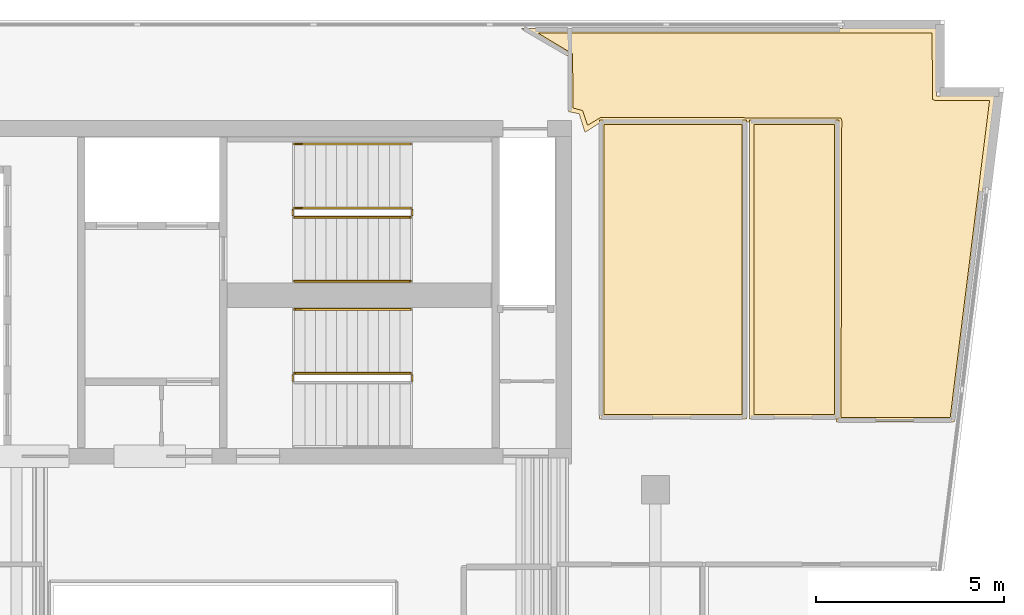
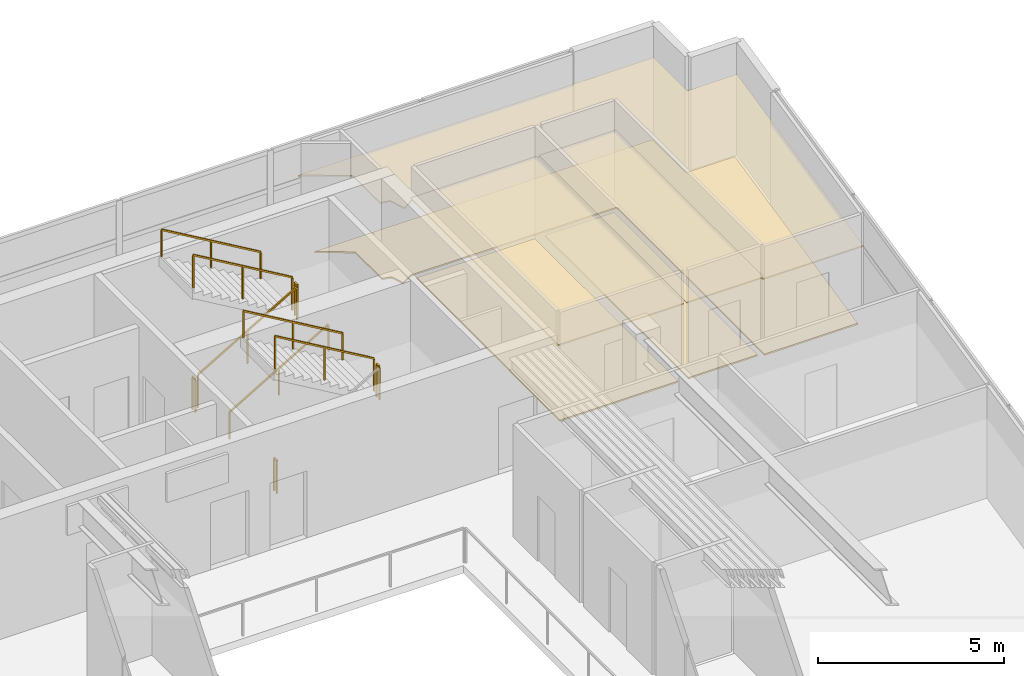
# One storey, part 8 of 8: 10 railings, 6 coverings.
"""IFC4 building model written with IfcOpenShell, lengths in metres."""

import ifcopenshell
import ifcopenshell.guid

model = None  # the IFC model being written
_history = None  # IfcOwnerHistory: only IFC2X3 demands one
_inside = {}  # id of a spatial element -> (the spatial element, [elements in it])
_under = {}  # id of a project, library or spatial element -> (it, [spatial elements below it])
_declared = {}  # id of a project -> (the project, [libraries it declares])
_typed = {}  # id of a type object -> (the type object, [elements of that type])
_made_of = {}  # id of a material, layer set ... -> (it, [elements and type objects made of it])


def new_model(schema):
    """Start an empty IFC model of exactly this schema.

    Asked for "IFC4X3", IfcOpenShell would pick the latest addendum, in which some entities
    have other attributes; the version numbers below select the first issue.
    IFC2X3 requires an IfcOwnerHistory on every rooted entity: one is made here for all.
    """
    global model, _history
    if schema == "IFC4X3":
        model = ifcopenshell.file(schema_version=(4, 3, 0, 0))
    else:
        model = ifcopenshell.file(schema=schema)
    _inside.clear()
    _under.clear()
    _declared.clear()
    _typed.clear()
    _made_of.clear()
    _history = None
    if model.schema == "IFC2X3":
        org = make("IfcOrganization", Name="unknown")
        user = make(
            "IfcPersonAndOrganization",
            ThePerson=make("IfcPerson", FamilyName="unknown"),
            TheOrganization=org,
        )
        app = make(
            "IfcApplication",
            ApplicationDeveloper=org,
            Version="unknown",
            ApplicationFullName="unknown",
            ApplicationIdentifier="unknown",
        )
        _history = make(
            "IfcOwnerHistory",
            OwningUser=user,
            OwningApplication=app,
            ChangeAction="ADDED",
            CreationDate=0,
        )
    return model


def make(cls, **values):
    """One entity of the class cls with the attributes given. An attribute that is None is left unset."""
    return model.create_entity(
        cls, **{name: value for name, value in values.items() if value is not None}
    )


def rooted(cls, **values):
    """An entity with a GlobalId (a new one), such as an element, a storey or a relation."""
    return make(cls, GlobalId=ifcopenshell.guid.new(), OwnerHistory=_history, **values)


def si_unit(unit_type, name, prefix=None):
    """IfcSIUnit, for example si_unit("LENGTHUNIT", "METRE", prefix="MILLI")."""
    return make("IfcSIUnit", UnitType=unit_type, Prefix=prefix, Name=name)


def assignment(units):
    """IfcUnitAssignment: the units of a project."""
    return None if units is None else make("IfcUnitAssignment", Units=units)


def point(xyz):
    """IfcCartesianPoint."""
    return None if xyz is None else make("IfcCartesianPoint", Coordinates=xyz)


def direction(xyz):
    """IfcDirection."""
    return None if xyz is None else make("IfcDirection", DirectionRatios=xyz)


def frame(location, z_axis=None, x_axis=None):
    """IfcAxis2Placement3D, a coordinate frame: its origin and axes. An axis left out is left unset."""
    return make(
        "IfcAxis2Placement3D",
        Location=point(location),
        Axis=direction(z_axis),
        RefDirection=direction(x_axis),
    )


def frame_2d(location, x_axis=None):
    """IfcAxis2Placement2D, a coordinate frame in the plane: its origin and x axis."""
    return make(
        "IfcAxis2Placement2D", Location=point(location), RefDirection=direction(x_axis)
    )


def origin():
    """The frame at (0, 0, 0) with its axes left unset."""
    return frame((0.0, 0.0, 0.0))


def origin_2d():
    """The frame at (0, 0) in the plane with its x axis left unset."""
    return frame_2d((0.0, 0.0))


def place(relative_to, where):
    """IfcLocalPlacement: puts the frame where relative to a parent placement (None: the world)."""
    return make(
        "IfcLocalPlacement", PlacementRelTo=relative_to, RelativePlacement=where
    )


def context(
    kind, dimensions, precision=None, world=None, true_north=None, identifier=None
):
    """IfcGeometricRepresentationContext, for example the 3D "Model" context."""
    return make(
        "IfcGeometricRepresentationContext",
        ContextIdentifier=identifier,
        ContextType=kind,
        CoordinateSpaceDimension=dimensions,
        Precision=precision,
        WorldCoordinateSystem=world,
        TrueNorth=true_north,
    )


def subcontext(parent, identifier, kind, view, scale=None):
    """IfcGeometricRepresentationSubContext, for example "Body" below "Model"."""
    return make(
        "IfcGeometricRepresentationSubContext",
        ContextIdentifier=identifier,
        ContextType=kind,
        ParentContext=parent,
        TargetScale=scale,
        TargetView=view,
    )


def project(units=None, contexts=None):
    """IfcProject with its units and contexts."""
    return rooted(
        "IfcProject",
        Name="project",
        RepresentationContexts=contexts,
        UnitsInContext=assignment(units),
    )


def spatial(cls, under=None, at=None, **own):
    """A site, building, storey or space (cls), placed at a placement, below another one or the project."""
    s = rooted(cls, ObjectPlacement=at, **own)
    if under is not None:
        _under.setdefault(under.id(), (under, []))[1].append(s)
    return s


def polyline(points):
    """IfcPolyline through the points."""
    return make("IfcPolyline", Points=[point(p) for p in points])


def profile(cls, at=None, kind="AREA", **sizes):
    """A parametric profile (cls). Its sizes go by their IFC names, for example OverallWidth=200.0."""
    return make(cls, ProfileType=kind, Position=at, **sizes)


def rectangle(**sizes):
    """IfcRectangleProfileDef."""
    return profile("IfcRectangleProfileDef", **sizes)


def outline(outer, holes=None, kind="AREA"):
    """IfcArbitraryClosedProfileDef: a profile drawn as a closed curve; with holes, ...WithVoids."""
    if holes is None:
        return make("IfcArbitraryClosedProfileDef", ProfileType=kind, OuterCurve=outer)
    return make(
        "IfcArbitraryProfileDefWithVoids",
        ProfileType=kind,
        OuterCurve=outer,
        InnerCurves=holes,
    )


def extrude(swept, where, along, depth):
    """IfcExtrudedAreaSolid: the profile swept, set in the frame where, extruded along a direction by depth."""
    return make(
        "IfcExtrudedAreaSolid",
        SweptArea=swept,
        Position=where,
        ExtrudedDirection=direction(along),
        Depth=depth,
    )


def shape(context_of_items, identifier, shape_type, items):
    """IfcShapeRepresentation: the items that make up one representation, for example the "Body"."""
    return make(
        "IfcShapeRepresentation",
        ContextOfItems=context_of_items,
        RepresentationIdentifier=identifier,
        RepresentationType=shape_type,
        Items=items,
    )


def material(Name=None, Category=None):
    """IfcMaterial."""
    return make("IfcMaterial", Name=Name, Category=Category)


def layer(
    of_material, thickness, ventilated=None, Name=None, Category=None, Priority=None
):
    """IfcMaterialLayer: one layer of a wall or slab, of a material (None: an air gap)."""
    return make(
        "IfcMaterialLayer",
        Material=of_material,
        LayerThickness=thickness,
        IsVentilated=ventilated,
        Name=Name,
        Category=Category,
        Priority=Priority,
    )


def layer_set(layers, Name=None):
    """IfcMaterialLayerSet."""
    return make("IfcMaterialLayerSet", MaterialLayers=layers, LayerSetName=Name)


def made_of(thing, what):
    """Note that an element or type object is made of a material, layer set ...; save() writes the relation."""
    if what is not None:
        _made_of.setdefault(what.id(), (what, []))[1].append(thing)
    return thing


def type_object(cls, material=None, **own):
    """A type object (cls), such as IfcWallType, which elements share."""
    return made_of(rooted(cls, **own), material)


def element(
    cls,
    number,
    at=None,
    inside=None,
    cuts=None,
    type_object=None,
    material=None,
    context=None,
    identifier="Body",
    shape_type=None,
    held_by="IfcProductDefinitionShape",
    body=None,
    shapes=None,
    **own,
):
    """One element of the class cls, such as IfcWall. Its Tag is "e" and its number.

    at: its placement. inside: the storey or other place that contains it. cuts: it is an
    opening in that element (IfcRelVoidsElement). A single representation is given by context,
    identifier, shape_type and body (its items); several are given by shapes. held_by: the class
    of the entity that holds the representations. save() writes the other relations.
    """
    e = rooted(cls, Tag="e%d" % number, ObjectPlacement=at, **own)
    if body is not None:
        shapes = [shape(context, identifier, shape_type, body)]
    if shapes is not None:
        e.Representation = make(held_by, Representations=shapes)
    if inside is not None:
        _inside.setdefault(inside.id(), (inside, []))[1].append(e)
    if cuts is not None:
        rooted(
            "IfcRelVoidsElement", RelatingBuildingElement=cuts, RelatedOpeningElement=e
        )
    if type_object is not None:
        _typed.setdefault(type_object.id(), (type_object, []))[1].append(e)
    return made_of(e, material)


def aggregate(whole, parts):
    """IfcRelAggregates: a whole, such as a stair, and the parts it consists of."""
    return rooted("IfcRelAggregates", RelatingObject=whole, RelatedObjects=parts)


def save(model, path):
    """Write the relations noted so far, then the file.

    IfcRelAggregates (storeys below a building ...), IfcRelContainedInSpatialStructure (elements
    in a storey), IfcRelDefinesByType, IfcRelAssociatesMaterial and IfcRelDeclares: one each for
    every whole, place, type object, material and project.
    """
    for whole, parts in _under.values():
        aggregate(whole, parts)
    for where, things in _inside.values():
        rooted(
            "IfcRelContainedInSpatialStructure",
            RelatedElements=things,
            RelatingStructure=where,
        )
    for kind, things in _typed.values():
        rooted("IfcRelDefinesByType", RelatedObjects=things, RelatingType=kind)
    for what, things in _made_of.values():
        rooted("IfcRelAssociatesMaterial", RelatedObjects=things, RelatingMaterial=what)
    for by, libraries in _declared.values():
        rooted("IfcRelDeclares", RelatingContext=by, RelatedDefinitions=libraries)
    model.write(path)


model = new_model("IFC4")

# Units and contexts
model_context = context("Model", 3, precision=1e-05, world=origin(), true_north=direction((0.0, 1.0)))
body_context = subcontext(model_context, "Body", "Model", "MODEL_VIEW")
ifc_project = project(units=[si_unit("LENGTHUNIT", "METRE"), si_unit("AREAUNIT", "SQUARE_METRE"), si_unit("VOLUMEUNIT", "CUBIC_METRE"), si_unit("PLANEANGLEUNIT", "RADIAN"), si_unit("MASSUNIT", "GRAM", prefix="KILO")], contexts=[model_context])

# Site, building, storey
site_placement = place(None, origin())
site = spatial("IfcSite", under=ifc_project, at=site_placement, CompositionType="ELEMENT")
building_placement = place(site_placement, origin())
building = spatial("IfcBuilding", under=site, at=building_placement, Name="Caeloran Harvest Quay", CompositionType="ELEMENT")
storey_placement = place(building_placement, frame((0.0, 0.0, 268.550048828125)))
storey = spatial("IfcBuildingStorey", under=building, at=storey_placement, Name="L64", CompositionType="ELEMENT", Elevation=268.550048828125)

# Coverings
ifc_material_1 = material(Name="Perforated Mineral-Fibre Acoustic Ceiling Tile", Category="ceiling")
ifc_layer_1 = layer(ifc_material_1, 0.0400390625, Name="Perforated Mineral-Fibre Acoustic Ceiling Tile")
ifc_layer_set_1 = layer_set([ifc_layer_1], Name="Perforated Mineral-Fibre Acoustic Ceiling Tile")
covering_type_1 = type_object("IfcCoveringType", Name="COV-CEILING-ACOUSTIC", PredefinedType="CEILING", material=ifc_layer_set_1)
covering_1_placement = place(storey_placement, frame((0.0, 0.0, 2.599853515625)))
element("IfcCovering", 1, at=covering_1_placement, inside=storey, type_object=covering_type_1, Name="L64 Crop Phenotyping West Laboratory Acoustic Ceiling", PredefinedType="CEILING", context=body_context, shape_type="SweptSolid", body=[
    extrude(outline(polyline([(27.919921875, 40.840087890625), (27.919921875, 32.8798828125), (24.010009765625, 32.8798828125), (24.010009765625, 40.840087890625), (27.919921875, 40.840087890625)])), origin(), (0.0, 0.0, 1.0), 0.0400390625),
])
covering_2_placement = place(storey_placement, frame((0.0, 0.0, 2.599853515625)))
element("IfcCovering", 2, at=covering_2_placement, inside=storey, type_object=covering_type_1, Name="L64 Genomics Sequencing East Studio Acoustic Ceiling", PredefinedType="CEILING", context=body_context, shape_type="SweptSolid", body=[
    extrude(outline(polyline([(30.389892578125, 40.840087890625), (30.389892578125, 32.8798828125), (28.0, 32.8798828125), (28.0, 40.840087890625), (30.389892578125, 40.840087890625)])), origin(), (0.0, 0.0, 1.0), 0.0400390625),
])
covering_3_placement = place(storey_placement, frame((0.0, 0.0, 2.599853515625)))
element("IfcCovering", 3, at=covering_3_placement, inside=storey, type_object=covering_type_1, Name="International Policy Conference Room 9 Acoustic Ceiling", PredefinedType="CEILING", context=body_context, shape_type="SweptSolid", body=[
    extrude(outline(polyline([(23.190185546875, 41.06005859375), (23.1865234375, 42.541015625), (21.92041015625, 43.280029296875), (32.97998046875, 43.280029296875), (32.97998046875, 41.47998046875), (34.527587890625, 41.47998046875), (33.451416015625, 32.81005859375), (30.31982421875, 32.81005859375), (30.33984375, 40.7900390625), (24.061767578125, 40.7900390625), (23.62841796875, 40.51025390625), (23.47216796875, 41.00439453125), (23.190185546875, 41.06005859375)])), origin(), (0.0, 0.0, 1.0), 0.0400390625),
])
ifc_material_2 = material(Name="Calcium-Sulphate Raised Access Floor and Terrazzo Finish", Category="flooring")
ifc_layer_2 = layer(ifc_material_2, 0.050048828125, Name="Calcium-Sulphate Raised Access Floor and Terrazzo Finish")
ifc_layer_set_2 = layer_set([ifc_layer_2], Name="Calcium-Sulphate Raised Access Floor and Terrazzo Finish")
covering_type_2 = type_object("IfcCoveringType", Name="COV-FLOOR-RAISED", PredefinedType="FLOORING", material=ifc_layer_set_2)
covering_4_placement = place(storey_placement, origin())
element("IfcCovering", 4, at=covering_4_placement, inside=storey, type_object=covering_type_2, Name="L64 Crop Phenotyping West Laboratory Raised Finish Flooring", PredefinedType="FLOORING", context=body_context, shape_type="SweptSolid", body=[
    extrude(outline(polyline([(27.800048828125, 40.719970703125), (27.800048828125, 33.0), (24.1298828125, 33.0), (24.1298828125, 40.719970703125), (27.800048828125, 40.719970703125)])), origin(), (0.0, 0.0, 1.0), 0.050048828125),
])
covering_5_placement = place(storey_placement, origin())
element("IfcCovering", 5, at=covering_5_placement, inside=storey, type_object=covering_type_2, Name="L64 Genomics Sequencing East Studio Raised Finish Flooring", PredefinedType="FLOORING", context=body_context, shape_type="SweptSolid", body=[
    extrude(outline(polyline([(30.27001953125, 40.719970703125), (30.27001953125, 33.0), (28.1201171875, 33.0), (28.1201171875, 40.719970703125), (30.27001953125, 40.719970703125)])), origin(), (0.0, 0.0, 1.0), 0.050048828125),
])
covering_6_placement = place(storey_placement, origin())
element("IfcCovering", 6, at=covering_6_placement, inside=storey, type_object=covering_type_2, Name="International Policy Conference Room 9 Raised Finish Flooring", PredefinedType="FLOORING", context=body_context, shape_type="SweptSolid", body=[
    extrude(outline(polyline([(23.309814453125, 41.15869140625), (23.297607421875, 42.6005859375), (22.364013671875, 43.159912109375), (32.860107421875, 43.159912109375), (32.878173828125, 41.38916015625), (32.93994140625, 41.360107421875), (34.391845703125, 41.360107421875), (33.34521484375, 32.929931640625), (30.440185546875, 32.929931640625), (30.4599609375, 40.829833984375), (30.430908203125, 40.891845703125), (24.050048828125, 40.909912109375), (23.6953125, 40.6962890625), (23.564697265625, 41.09033203125), (23.309814453125, 41.15869140625)])), origin(), (0.0, 0.0, 1.0), 0.050048828125),
])

# Railings
ifc_material_3 = material(Name="Painted Steel Baluster and Top-Rail Stair Guard", Category="steel")
ifc_layer_3 = layer(ifc_material_3, 0.050048828125, Name="Painted Steel Baluster and Top-Rail Stair Guard")
ifc_layer_set_3 = layer_set([ifc_layer_3], Name="Painted Steel Baluster and Top-Rail Stair Guard")
railing_type_1 = type_object("IfcRailingType", Name="STAIR-GUARD-1100", PredefinedType="GUARDRAIL", material=ifc_layer_set_3)
railing_1_placement = place(storey_placement, frame((15.89990234375, 38.25, 0.16455078125)))
element("IfcRailing", 7, at=railing_1_placement, inside=storey, type_object=railing_type_1, Name="L64 ST-C1 stair guard 1", PredefinedType="GUARDRAIL", context=body_context, shape_type="SweptSolid", body=[
    extrude(rectangle(XDim=0.048095703125, YDim=0.048095703125, at=origin_2d()), frame((0.0, 0.0, 1.076171875), z_axis=(0.862118610829, 0.0, 0.506706523406), x_axis=(0.0, 1.0, 0.0)), (0.0, 0.0, 1.0), 3.57275390625),
    extrude(rectangle(XDim=0.0419921875, YDim=0.0419921875, at=origin_2d()), origin(), (0.0, 0.0, 1.0), 1.052001953125),
    extrude(rectangle(XDim=0.0419921875, YDim=0.0419921875, at=origin_2d()), frame((1.5400390625, 0.0, 0.9052734375)), (0.0, 0.0, 1.0), 1.052001953125),
    extrude(rectangle(XDim=0.0419921875, YDim=0.0419921875, at=origin_2d()), frame((3.080078125, 0.0, 1.810302734375)), (0.0, 0.0, 1.0), 1.052001953125),
])
railing_2_placement = place(storey_placement, frame((19.030029296875, 38.300048828125, 1.974853515625)))
element("IfcRailing", 8, at=railing_2_placement, inside=storey, type_object=railing_type_1, Name="L64 ST-C1 stair guard 2", PredefinedType="GUARDRAIL", context=body_context, shape_type="SweptSolid", body=[
    extrude(rectangle(XDim=0.048095703125, YDim=0.048095703125, at=origin_2d()), frame((0.0, 0.0, 1.076171875), z_axis=(0.0, 1.0, 0.0), x_axis=(-1.0, 0.0, 0.0)), (0.0, 0.0, 1.0), 0.14990234375),
    extrude(rectangle(XDim=0.0419921875, YDim=0.0419921875, at=origin_2d()), origin(), (0.0, 0.0, 1.0), 1.052001953125),
    extrude(rectangle(XDim=0.0419921875, YDim=0.0419921875, at=origin_2d()), frame((0.0, 0.14990234375, 0.0)), (0.0, 0.0, 1.0), 1.052001953125),
])
railing_3_placement = place(storey_placement, frame((18.97998046875, 38.5, 2.1396484375)))
element("IfcRailing", 9, at=railing_3_placement, inside=storey, type_object=railing_type_1, Name="L64 ST-C1 stair guard 3", PredefinedType="GUARDRAIL", context=body_context, shape_type="SweptSolid", body=[
    extrude(rectangle(XDim=0.048095703125, YDim=0.048095703125, at=origin_2d()), frame((0.0, 0.0, 1.076171875), z_axis=(-0.862118610829, 0.0, 0.506706523406), x_axis=(0.0, -1.0, 0.0)), (0.0, 0.0, 1.0), 3.57275390625),
    extrude(rectangle(XDim=0.0419921875, YDim=0.0419921875, at=origin_2d()), origin(), (0.0, 0.0, 1.0), 1.052001953125),
    extrude(rectangle(XDim=0.0419921875, YDim=0.0419921875, at=origin_2d()), frame((-1.5400390625, 0.0, 0.9052734375)), (0.0, 0.0, 1.0), 1.052001953125),
    extrude(rectangle(XDim=0.0419921875, YDim=0.0419921875, at=origin_2d()), frame((-3.080078125, 0.0, 1.810302734375)), (0.0, 0.0, 1.0), 1.052001953125),
])
railing_4_placement = place(storey_placement, frame((15.85009765625, 38.300048828125, 0.0)))
element("IfcRailing", 10, at=railing_4_placement, inside=storey, type_object=railing_type_1, Name="L64 ST-C1 stair guard 4", PredefinedType="GUARDRAIL", context=body_context, shape_type="SweptSolid", body=[
    extrude(rectangle(XDim=0.048095703125, YDim=0.048095703125, at=origin_2d()), frame((0.0, 0.0, 1.076171875), z_axis=(0.0, 1.0, 0.0), x_axis=(-1.0, 0.0, 0.0)), (0.0, 0.0, 1.0), 0.14990234375),
    extrude(rectangle(XDim=0.0419921875, YDim=0.0419921875, at=origin_2d()), origin(), (0.0, 0.0, 1.0), 1.052001953125),
    extrude(rectangle(XDim=0.0419921875, YDim=0.0419921875, at=origin_2d()), frame((0.0, 0.14990234375, 0.0)), (0.0, 0.0, 1.0), 1.052001953125),
])
railing_5_placement = place(storey_placement, frame((19.030029296875, 33.89990234375, 1.974853515625)))
element("IfcRailing", 11, at=railing_5_placement, inside=storey, type_object=railing_type_1, Name="L64 ST-C2 stair guard 2", PredefinedType="GUARDRAIL", context=body_context, shape_type="SweptSolid", body=[
    extrude(rectangle(XDim=0.048095703125, YDim=0.048095703125, at=origin_2d()), frame((0.0, 0.0, 1.076171875), z_axis=(0.0, 1.0, 0.0), x_axis=(-1.0, 0.0, 0.0)), (0.0, 0.0, 1.0), 0.150146484375),
    extrude(rectangle(XDim=0.0419921875, YDim=0.0419921875, at=origin_2d()), origin(), (0.0, 0.0, 1.0), 1.052001953125),
    extrude(rectangle(XDim=0.0419921875, YDim=0.0419921875, at=origin_2d()), frame((0.0, 0.150146484375, 0.0)), (0.0, 0.0, 1.0), 1.052001953125),
])
railing_6_placement = place(storey_placement, frame((18.97998046875, 34.10009765625, 2.1396484375)))
element("IfcRailing", 12, at=railing_6_placement, inside=storey, type_object=railing_type_1, Name="L64 ST-C2 stair guard 3", PredefinedType="GUARDRAIL", context=body_context, shape_type="SweptSolid", body=[
    extrude(rectangle(XDim=0.048095703125, YDim=0.048095703125, at=origin_2d()), frame((0.0, 0.0, 1.076171875), z_axis=(-0.862118610829, 0.0, 0.506706523406), x_axis=(0.0, -1.0, 0.0)), (0.0, 0.0, 1.0), 3.57275390625),
    extrude(rectangle(XDim=0.0419921875, YDim=0.0419921875, at=origin_2d()), origin(), (0.0, 0.0, 1.0), 1.052001953125),
    extrude(rectangle(XDim=0.0419921875, YDim=0.0419921875, at=origin_2d()), frame((-1.5400390625, 0.0, 0.9052734375)), (0.0, 0.0, 1.0), 1.052001953125),
    extrude(rectangle(XDim=0.0419921875, YDim=0.0419921875, at=origin_2d()), frame((-3.080078125, 0.0, 1.810302734375)), (0.0, 0.0, 1.0), 1.052001953125),
])
railing_7_placement = place(storey_placement, frame((15.85009765625, 33.89990234375, 0.0)))
element("IfcRailing", 13, at=railing_7_placement, inside=storey, type_object=railing_type_1, Name="L64 ST-C2 stair guard 4", PredefinedType="GUARDRAIL", context=body_context, shape_type="SweptSolid", body=[
    extrude(rectangle(XDim=0.048095703125, YDim=0.048095703125, at=origin_2d()), frame((0.0, 0.0, 1.076171875), z_axis=(0.0, 1.0, 0.0), x_axis=(-1.0, 0.0, 0.0)), (0.0, 0.0, 1.0), 0.150146484375),
    extrude(rectangle(XDim=0.0419921875, YDim=0.0419921875, at=origin_2d()), origin(), (0.0, 0.0, 1.0), 1.052001953125),
    extrude(rectangle(XDim=0.0419921875, YDim=0.0419921875, at=origin_2d()), frame((0.0, 0.150146484375, 0.0)), (0.0, 0.0, 1.0), 1.052001953125),
])
ifc_material_4 = material(Name="Brushed Stainless Steel Grade 304", Category="steel")
ifc_layer_4 = layer(ifc_material_4, 0.050048828125, Name="Brushed Stainless Steel Grade 304")
ifc_layer_set_4 = layer_set([ifc_layer_4], Name="Brushed Stainless Steel Grade 304")
railing_type_2 = type_object("IfcRailingType", Name="STAIR-HANDRAIL-900", PredefinedType="HANDRAIL", material=ifc_layer_set_4)
railing_8_placement = place(storey_placement, frame((15.89990234375, 36.550048828125, 0.16455078125)))
element("IfcRailing", 14, at=railing_8_placement, inside=storey, type_object=railing_type_2, Name="L64 ST-C1 stair handrail 1", PredefinedType="HANDRAIL", context=body_context, shape_type="SweptSolid", body=[
    extrude(rectangle(XDim=0.048095703125, YDim=0.048095703125, at=origin_2d()), frame((0.0, 0.0, 0.8759765625), z_axis=(0.862118610829, 0.0, 0.506706523406), x_axis=(0.0, 1.0, 0.0)), (0.0, 0.0, 1.0), 3.57275390625),
    extrude(rectangle(XDim=0.0419921875, YDim=0.0419921875, at=origin_2d()), origin(), (0.0, 0.0, 1.0), 0.851806640625),
    extrude(rectangle(XDim=0.0419921875, YDim=0.0419921875, at=origin_2d()), frame((1.5400390625, 0.0, 0.9052734375)), (0.0, 0.0, 1.0), 0.851806640625),
    extrude(rectangle(XDim=0.0419921875, YDim=0.0419921875, at=origin_2d()), frame((3.080078125, 0.0, 1.810302734375)), (0.0, 0.0, 1.0), 0.851806640625),
])
for number, where, name in (
    (15, (18.97998046875, 40.199951171875, 2.1396484375), "L64 ST-C1 stair handrail 2"),
    (16, (18.97998046875, 35.800048828125, 2.1396484375), "L64 ST-C2 stair handrail 2"),
):
    element("IfcRailing", number, at=place(storey_placement, frame(where)), inside=storey, type_object=railing_type_2, Name=name, PredefinedType="HANDRAIL", context=body_context, shape_type="SweptSolid", body=[
        extrude(rectangle(XDim=0.048095703125, YDim=0.048095703125, at=origin_2d()), frame((0.0, 0.0, 0.8759765625), z_axis=(-0.862118610829, 0.0, 0.506706523406), x_axis=(0.0, -1.0, 0.0)), (0.0, 0.0, 1.0), 3.57275390625),
        extrude(rectangle(XDim=0.0419921875, YDim=0.0419921875, at=origin_2d()), origin(), (0.0, 0.0, 1.0), 0.851806640625),
        extrude(rectangle(XDim=0.0419921875, YDim=0.0419921875, at=origin_2d()), frame((-1.5400390625, 0.0, 0.9052734375)), (0.0, 0.0, 1.0), 0.851806640625),
        extrude(rectangle(XDim=0.0419921875, YDim=0.0419921875, at=origin_2d()), frame((-3.080078125, 0.0, 1.810302734375)), (0.0, 0.0, 1.0), 0.851806640625),
    ])

save(model, "model.ifc")
